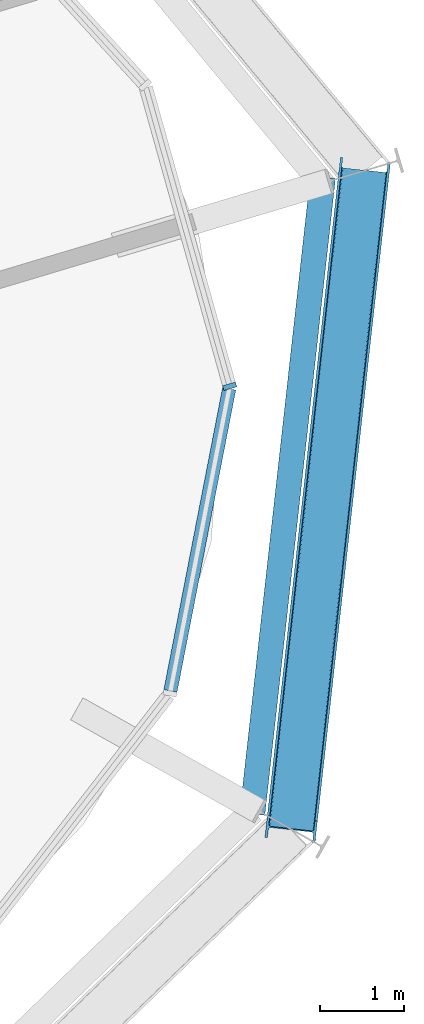
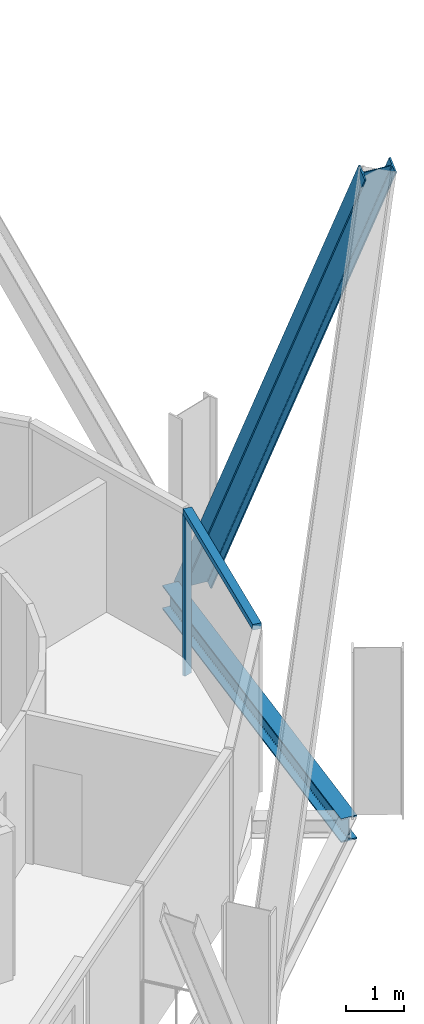
# One storey, part 5 of 18: 3 members, 1 beam, 1 element without a shape of its own.
"""IFC4 building model written with IfcOpenShell, lengths in metres."""

from ifc_helpers import new_model, si_unit, direction, frame, origin, origin_2d, place, context, subcontext, project, spatial, rectangle, i_section, extrude, material, layer, layer_set, material_profile, profile_set, type_object, element, aggregate, save


model = new_model("IFC4")

# Units and contexts
model_context = context("Model", 3, precision=1e-05, world=origin(), true_north=direction((0.0, 1.0)))
body_context = subcontext(model_context, "Body", "Model", "MODEL_VIEW")
ifc_project = project(units=[si_unit("LENGTHUNIT", "METRE"), si_unit("AREAUNIT", "SQUARE_METRE"), si_unit("VOLUMEUNIT", "CUBIC_METRE"), si_unit("PLANEANGLEUNIT", "RADIAN"), si_unit("MASSUNIT", "GRAM", prefix="KILO")], contexts=[model_context])

# Site, building, storey
site_placement = place(None, origin())
site = spatial("IfcSite", under=ifc_project, at=site_placement, CompositionType="ELEMENT")
building_placement = place(site_placement, origin())
building = spatial("IfcBuilding", under=site, at=building_placement, Name="Spindle Arch Residences", CompositionType="ELEMENT")
storey_placement = place(building_placement, frame((0.0, 0.0, 277.39990234375)))
storey = spatial("IfcBuildingStorey", under=building, at=storey_placement, Name="L71", CompositionType="ELEMENT", Elevation=277.39990234375)

# Curtain wall, members
ifc_material_1 = material(Name="Aluminium bronze unitised frame with tinted glass", Category="aluminium")
ifc_layer = layer(ifc_material_1, 0.159912109375)
ifc_layer_set = layer_set([ifc_layer], Name="CW-D corner wall on the fillet arcs")
curtain_wall_type = type_object("IfcCurtainWallType", Name="CW-D corner wall on the fillet arcs", PredefinedType="NOTDEFINED", material=ifc_layer_set)
curtain_wall_placement = place(storey_placement, origin())
curtain_wall = element("IfcCurtainWall", 1, at=curtain_wall_placement, inside=storey, type_object=curtain_wall_type, Name="CW-D L71 run 1", PredefinedType="NOTDEFINED")
ifc_material_2 = material(Name="Aluminium bronze anodised mullion", Category="aluminium")
ifc_material_profile_1 = material_profile(ifc_material_2, rectangle(XDim=0.159912109375, YDim=0.06005859375, at=origin_2d()), Name="MU 60x160")
ifc_profile_set_1 = profile_set([ifc_material_profile_1], Name="Aluminium bronze anodised mullion")
member_type_1 = type_object("IfcMemberType", Name="Bronze mullion 60x160", PredefinedType="MULLION", material=ifc_profile_set_1)
member_1_placement = place(storey_placement, frame((26.832763671875, 3.300048828125, -0.3798828125), z_axis=(0.0, 0.0, 1.0), x_axis=(-0.962849012696, -0.270040328007, 0.0)))
member_1 = element("IfcMember", 2, at=member_1_placement, type_object=member_type_1, Name="CW-D mullion 03", PredefinedType="MULLION", context=body_context, shape_type="SweptSolid", body=[
    extrude(rectangle(XDim=0.159912109375, YDim=0.06005859375, at=origin_2d()), origin(), (0.0, 0.0, 1.0), 3.3798828125),
])
ifc_material_3 = material(Name="Aluminium bronze anodised transom", Category="aluminium")
ifc_material_profile_2 = material_profile(ifc_material_3, rectangle(XDim=0.159912109375, YDim=0.1201171875, at=origin_2d()), Name="TR 120x160")
ifc_profile_set_2 = profile_set([ifc_material_profile_2], Name="Aluminium bronze anodised transom")
member_type_2 = type_object("IfcMemberType", Name="Bronze transom 120x160", PredefinedType="USERDEFINED", material=ifc_profile_set_2)
member_2_placement = place(storey_placement, frame((26.127197265625, -0.32861328125, 3.06005859375), z_axis=(0.190825105639, 0.981624051793, 0.0), x_axis=(-0.981624051793, 0.190825105639, 0.0)))
member_2 = element("IfcMember", 3, at=member_2_placement, type_object=member_type_2, Name="CW-D transom 02", ObjectType="TRANSOM", PredefinedType="USERDEFINED", context=body_context, shape_type="SweptSolid", body=[
    extrude(rectangle(XDim=0.159912109375, YDim=0.1201171875, at=origin_2d()), origin(), (0.0, 0.0, 1.0), 3.666748046875),
])
aggregate(curtain_wall, [member_2, member_1])

# Member
ifc_material_4 = material(Name="Steel S460ML, intumescent coating R 240", Category="steel")
ifc_material_profile_3 = material_profile(ifc_material_4, i_section(OverallWidth=0.300048828125, OverallDepth=0.60009765625, WebThickness=0.015380859375, FlangeThickness=0.030029296875, FilletRadius=0.027099609375, at=origin_2d()), Name="HEB 600")
ifc_profile_set_3 = profile_set([ifc_material_profile_3], Name="Steel S460ML, intumescent coating R 240")
member_type_3 = type_object("IfcMemberType", Name="Diagrid diagonal HEB 600", PredefinedType="BRACE", material=ifc_profile_set_3)
member_3_placement = place(storey_placement, frame((28.43505859375, 5.86767578125, -0.6298828125), z_axis=(-0.05481529585, -0.494122056615, 0.867662766579), x_axis=(0.09566706882, 0.86237259259, 0.497153219332)))
element("IfcMember", 4, at=member_3_placement, inside=storey, type_object=member_type_3, Name="Diagrid diagonal 7.2.3", PredefinedType="BRACE", context=body_context, shape_type="SweptSolid", body=[
    extrude(i_section(OverallWidth=0.300048828125, OverallDepth=0.60009765625, WebThickness=0.015380859375, FlangeThickness=0.030029296875, FilletRadius=0.027099609375, at=origin_2d()), origin(), (0.0, 0.0, 1.0), 15.87353515625),
])

# Beam
ifc_material_5 = material(Name="Steel S460ML, intumescent coating R 120", Category="steel")
ifc_material_profile_4 = material_profile(ifc_material_5, i_section(OverallWidth=0.300048828125, OverallDepth=0.5, WebThickness=0.014404296875, FlangeThickness=0.028076171875, FilletRadius=0.027099609375, at=origin_2d()), Name="HEB 500")
ifc_profile_set_4 = profile_set([ifc_material_profile_4], Name="Steel S460ML, intumescent coating R 120")
beam_type = type_object("IfcBeamType", Name="Exoskeleton edge beam HEB 500", PredefinedType="BEAM", material=ifc_profile_set_4)
beam_placement = place(storey_placement, frame((27.102294921875, -1.793701171875, -0.6298828125), z_axis=(0.110238412097, 0.99390517279, 0.0), x_axis=(-0.99390517279, 0.110238412097, 0.0)))
element("IfcBeam", 5, at=beam_placement, inside=storey, type_object=beam_type, Name="Exoskeleton edge beam 3", PredefinedType="BEAM", context=body_context, shape_type="SweptSolid", body=[
    extrude(i_section(OverallWidth=0.300048828125, OverallDepth=0.5, WebThickness=0.014404296875, FlangeThickness=0.028076171875, FilletRadius=0.027099609375, at=origin_2d()), origin(), (0.0, 0.0, 1.0), 7.6318359375),
])

save(model, "model.ifc")
